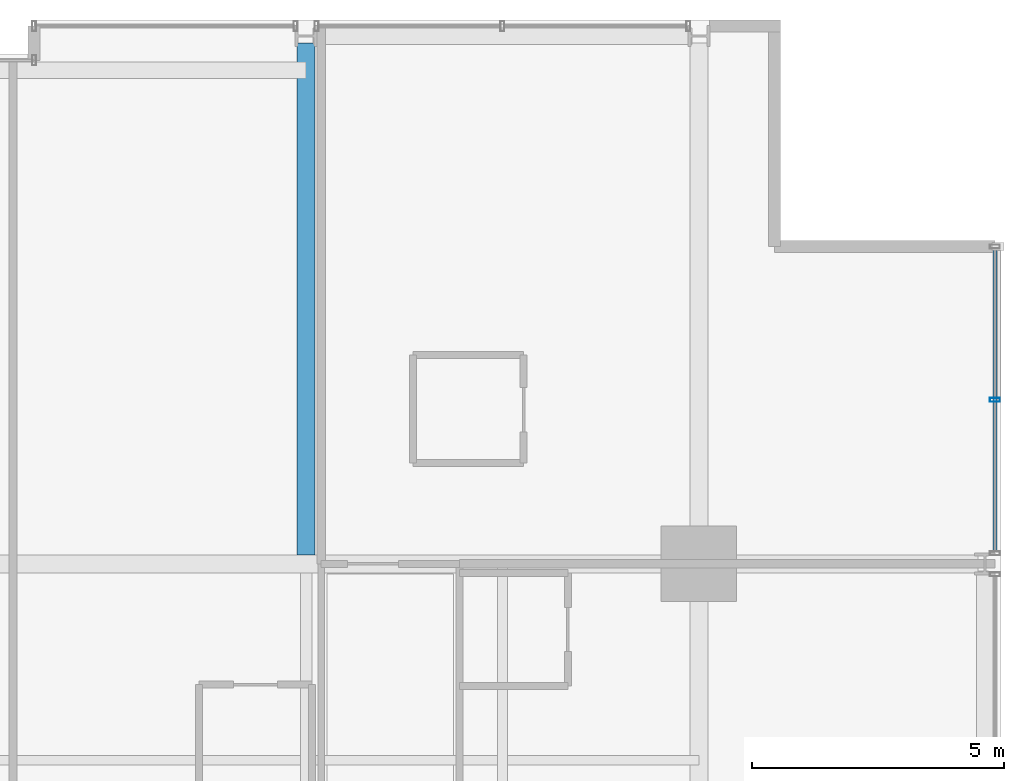
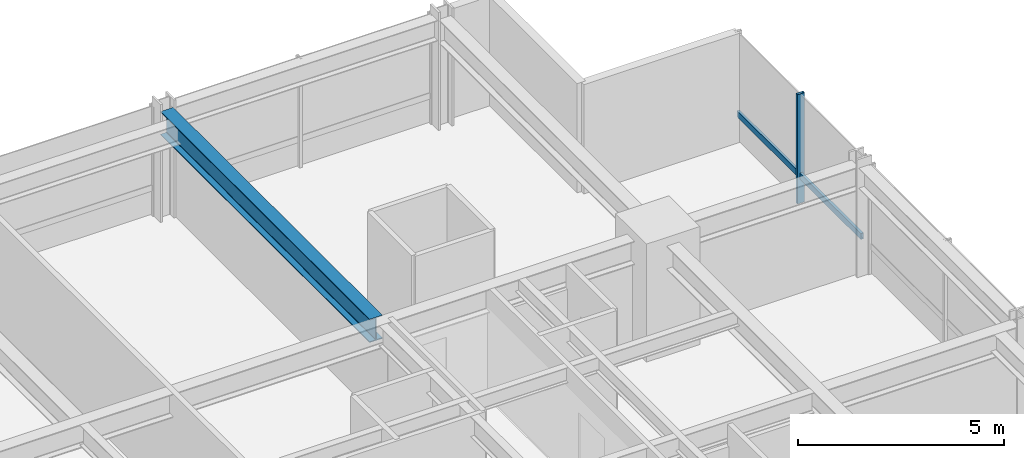
# One storey, part 24 of 34: 2 members, 1 beam, 1 element without a shape of its own.
"""IFC4 building model written with IfcOpenShell, lengths in metres."""

from ifc_helpers import new_model, si_unit, direction, frame, origin, origin_2d, place, context, subcontext, project, spatial, hollow_rectangle, i_section, extrude, material, layer, layer_set, material_profile, profile_set, type_object, element, aggregate, save


model = new_model("IFC4")

# Units and contexts
model_context = context("Model", 3, precision=1e-05, world=origin(), true_north=direction((0.0, 1.0)))
body_context = subcontext(model_context, "Body", "Model", "MODEL_VIEW")
ifc_project = project(units=[si_unit("LENGTHUNIT", "METRE"), si_unit("AREAUNIT", "SQUARE_METRE"), si_unit("VOLUMEUNIT", "CUBIC_METRE"), si_unit("PLANEANGLEUNIT", "RADIAN"), si_unit("MASSUNIT", "GRAM", prefix="KILO")], contexts=[model_context])

# Site, building, storey
site_placement = place(None, origin())
site = spatial("IfcSite", under=ifc_project, at=site_placement, CompositionType="ELEMENT")
building_placement = place(site_placement, origin())
building = spatial("IfcBuilding", under=site, at=building_placement, Name="Drelvath Grand Hotel", CompositionType="ELEMENT")
storey_placement = place(building_placement, frame((0.0, 0.0, 126.800048828125)))
storey = spatial("IfcBuildingStorey", under=building, at=storey_placement, Name="L32", CompositionType="ELEMENT", Elevation=126.800048828125)

# Curtain wall, members
ifc_material_1 = material(Name="Champagne Bronze Anodised Aluminium Frame", Category="aluminium")
ifc_layer = layer(ifc_material_1, 0.199951171875)
ifc_layer_set = layer_set([ifc_layer], Name="Champagne Bronze Anodised Aluminium Frame")
curtain_wall_type = type_object("IfcCurtainWallType", Name="Stick Curtain Wall CW-03 Champagne Bronze Mid-Rise", PredefinedType="NOTDEFINED", material=ifc_layer_set)
curtain_wall_placement = place(storey_placement, origin())
curtain_wall = element("IfcCurtainWall", 1, at=curtain_wall_placement, inside=storey, type_object=curtain_wall_type, Name="L32 CW-03 Curtain Wall CW03-L32-EN3", PredefinedType="NOTDEFINED")
ifc_material_profile_1 = material_profile(ifc_material_1, hollow_rectangle(XDim=0.074951171875, YDim=0.179931640625, WallThickness=0.0048828125, at=origin_2d()), Name="HSS180X75X5")
ifc_profile_set_1 = profile_set([ifc_material_profile_1], Name="Champagne Bronze Anodised Aluminium Frame")
member_type_1 = type_object("IfcMemberType", Name="Curtain Wall Horizontal Transom CW-03 HSS180X75X5", PredefinedType="USERDEFINED", material=ifc_profile_set_1)
member_1_placement = place(storey_placement, frame((22.080078125, 49.4599609375, 0.81005859375), z_axis=(0.0, -1.0, 0.0), x_axis=(1.0, 0.0, 0.0)))
member_1 = element("IfcMember", 2, at=member_1_placement, type_object=member_type_1, Name="CW03-L32-EN3 Sill Transom", ObjectType="TRANSOM", PredefinedType="USERDEFINED", context=body_context, shape_type="SweptSolid", body=[
    extrude(hollow_rectangle(XDim=0.074951171875, YDim=0.179931640625, WallThickness=0.0048828125, at=origin_2d()), origin(), (0.0, 0.0, 1.0), 6.010498046875),
])
ifc_material_profile_2 = material_profile(ifc_material_1, hollow_rectangle(XDim=0.080078125, YDim=0.199951171875, WallThickness=0.0048828125, at=origin_2d()), Name="HSS200X80X5")
ifc_profile_set_2 = profile_set([ifc_material_profile_2], Name="Champagne Bronze Anodised Aluminium Frame")
member_type_2 = type_object("IfcMemberType", Name="Curtain Wall Vertical Mullion CW-03 HSS200X80X5", PredefinedType="MULLION", material=ifc_profile_set_2)
member_2_placement = place(storey_placement, frame((22.080078125, 46.45458984375, 0.0), z_axis=(0.0, 0.0, 1.0), x_axis=(0.0, 1.0, 0.0)))
member_2 = element("IfcMember", 3, at=member_2_placement, type_object=member_type_2, Name="CW03-L32-EN3 Mullion 2", PredefinedType="MULLION", context=body_context, shape_type="SweptSolid", body=[
    extrude(hollow_rectangle(XDim=0.080078125, YDim=0.199951171875, WallThickness=0.0048828125, at=origin_2d()), origin(), (0.0, 0.0, 1.0), 3.239990234375),
])
aggregate(curtain_wall, [member_2, member_1])

# Beam
ifc_material_2 = material(Name="Steel ASTM A992 Gr 50", Category="steel")
ifc_material_profile_3 = material_profile(ifc_material_2, i_section(OverallWidth=0.354736328125, OverallDepth=0.695556640625, WebThickness=0.015380859375, FlangeThickness=0.025146484375, FilletRadius=0.02392578125, at=origin_2d()), Name="W27X146")
ifc_profile_set_3 = profile_set([ifc_material_profile_3], Name="Steel ASTM A992 Gr 50")
beam_type = type_object("IfcBeamType", Name="Primary Floor Girder W27X146", PredefinedType="BEAM", material=ifc_profile_set_3)
beam_placement = place(storey_placement, frame((8.39990234375, 43.37744140625, 2.892333984375), z_axis=(0.0, 1.0, 0.0), x_axis=(-1.0, 0.0, 0.0)))
element("IfcBeam", 4, at=beam_placement, inside=storey, type_object=beam_type, Name="L32 North Wing Girder 6", PredefinedType="BEAM", context=body_context, shape_type="SweptSolid", body=[
    extrude(i_section(OverallWidth=0.354736328125, OverallDepth=0.695556640625, WebThickness=0.015380859375, FlangeThickness=0.025146484375, FilletRadius=0.02392578125, at=origin_2d()), origin(), (0.0, 0.0, 1.0), 10.16259765625),
])

save(model, "model.ifc")
